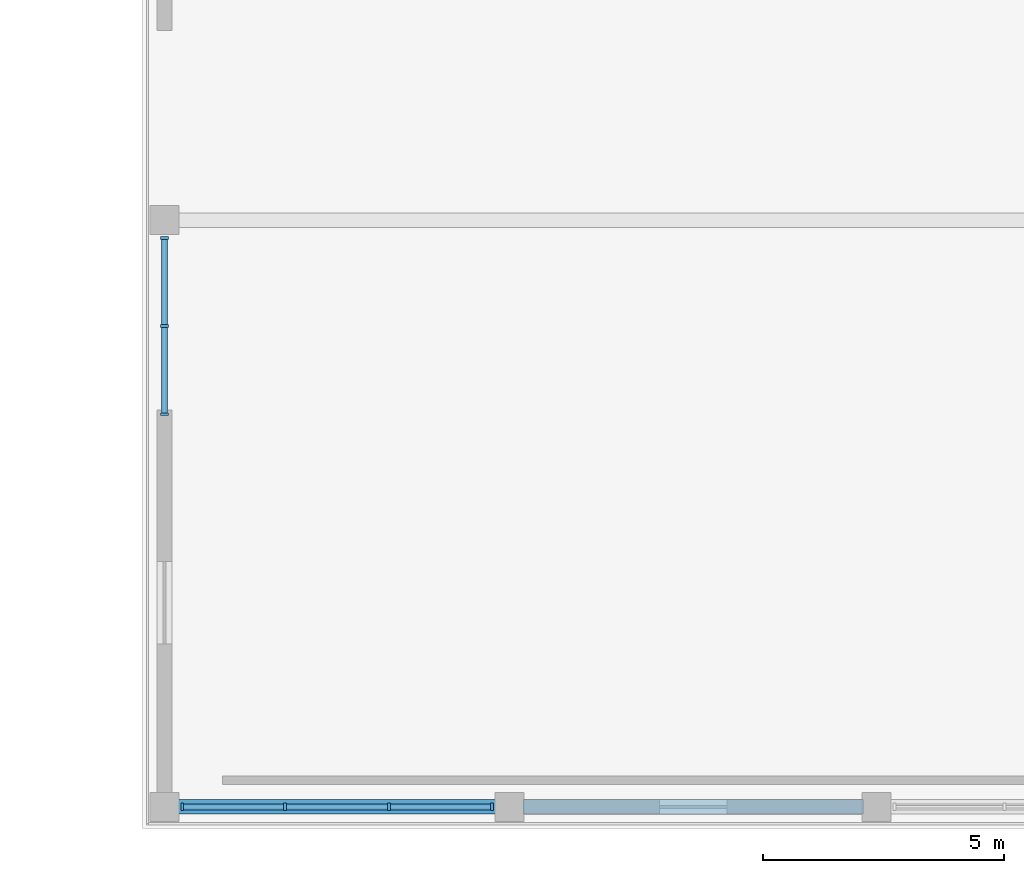
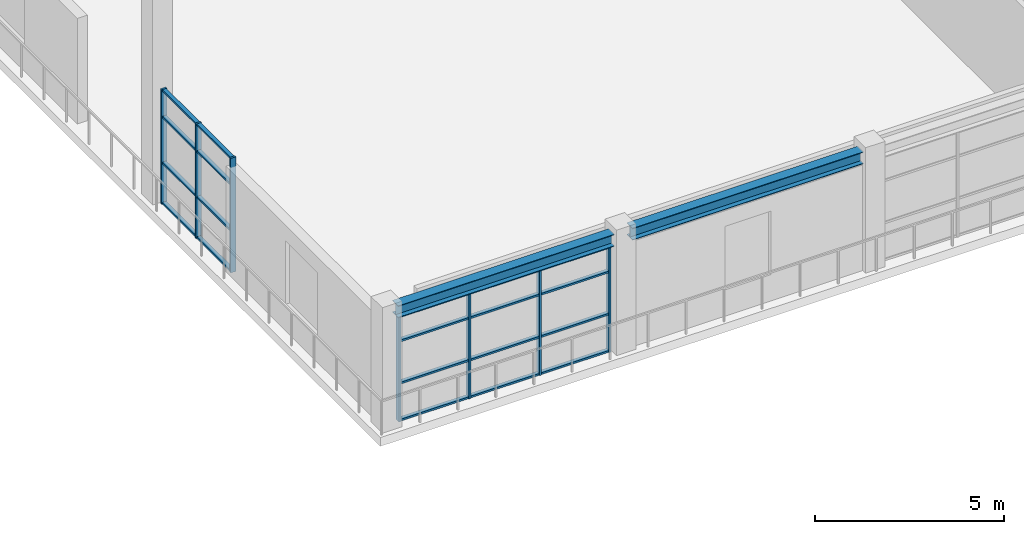
# One storey, part 18 of 87: 27 members, 2 beams, 2 elements without a shape of their own.
"""IFC4 building model written with IfcOpenShell, lengths in metres."""

from ifc_helpers import new_model, si_unit, direction, frame, origin, origin_2d, place, context, subcontext, project, spatial, rectangle, i_section, extrude, material, material_profile, profile_set, type_object, element, aggregate, save


model = new_model("IFC4")

# Units and contexts
model_context = context("Model", 3, precision=1e-05, world=origin(), true_north=direction((0.0, 1.0)))
body_context = subcontext(model_context, "Body", "Model", "MODEL_VIEW")
ifc_project = project(units=[si_unit("LENGTHUNIT", "METRE"), si_unit("AREAUNIT", "SQUARE_METRE"), si_unit("VOLUMEUNIT", "CUBIC_METRE"), si_unit("PLANEANGLEUNIT", "RADIAN"), si_unit("MASSUNIT", "GRAM", prefix="KILO")], contexts=[model_context])

# Site, building, storey
site_placement = place(None, origin())
site = spatial("IfcSite", under=ifc_project, at=site_placement, CompositionType="ELEMENT")
building_placement = place(site_placement, origin())
building = spatial("IfcBuilding", under=site, at=building_placement, Name="Saryqyr Civic Hall", CompositionType="ELEMENT")
storey_placement = place(building_placement, frame((0.0, 0.0, 5.10009765625)))
storey = spatial("IfcBuildingStorey", under=building, at=storey_placement, Name="L01", CompositionType="ELEMENT", Elevation=5.10009765625)

# Curtain wall, members
ifc_material_1 = material(Name="Anodised aluminium and triple low-E glass", Category="aluminium")
curtain_wall_type_1 = type_object("IfcCurtainWallType", Name="ENV-CW-STD-62", PredefinedType="NOTDEFINED", material=ifc_material_1)
curtain_wall_1_placement = place(storey_placement, origin())
curtain_wall_1 = element("IfcCurtainWall", 1, at=curtain_wall_1_placement, inside=storey, type_object=curtain_wall_type_1, Name="Curtain wall V7E-CW-L01-0-3", PredefinedType="NOTDEFINED")
ifc_material_2 = material(Name="Anodised aluminium", Category="aluminium")
ifc_material_profile_1 = material_profile(ifc_material_2, rectangle(XDim=0.06005859375, YDim=0.159912109375, at=origin_2d()), Name="ALU MULLION 60x160")
ifc_profile_set_1 = profile_set([ifc_material_profile_1], Name="Anodised aluminium")
member_type_1 = type_object("IfcMemberType", Name="ENV-CW-MUL-180", PredefinedType="MULLION", material=ifc_profile_set_1)
member_1_placement = place(storey_placement, frame((90.830078125, 0.449951171875, 0.0), z_axis=(0.0, 0.0, 1.0), x_axis=(-1.0, 0.0, 0.0)))
member_1 = element("IfcMember", 2, at=member_1_placement, type_object=member_type_1, Name="CW-62 mullion 1", PredefinedType="MULLION", context=body_context, shape_type="SweptSolid", body=[
    extrude(rectangle(XDim=0.06005859375, YDim=0.159912109375, at=origin_2d()), origin(), (0.0, 0.0, 1.0), 3.40478515625),
])
member_2_placement = place(storey_placement, frame((88.703369140625, 0.449951171875, 0.0), z_axis=(0.0, 0.0, 1.0), x_axis=(-1.0, 0.0, 0.0)))
member_2 = element("IfcMember", 3, at=member_2_placement, type_object=member_type_1, Name="CW-62 mullion 2", PredefinedType="MULLION", context=body_context, shape_type="SweptSolid", body=[
    extrude(rectangle(XDim=0.06005859375, YDim=0.159912109375, at=origin_2d()), origin(), (0.0, 0.0, 1.0), 3.40478515625),
])
member_3_placement = place(storey_placement, frame((86.546630859375, 0.449951171875, 0.0), z_axis=(0.0, 0.0, 1.0), x_axis=(-1.0, 0.0, 0.0)))
member_3 = element("IfcMember", 4, at=member_3_placement, type_object=member_type_1, Name="CW-62 mullion 3", PredefinedType="MULLION", context=body_context, shape_type="SweptSolid", body=[
    extrude(rectangle(XDim=0.06005859375, YDim=0.159912109375, at=origin_2d()), origin(), (0.0, 0.0, 1.0), 3.40478515625),
])
member_4_placement = place(storey_placement, frame((84.419921875, 0.449951171875, 0.0), z_axis=(0.0, 0.0, 1.0), x_axis=(-1.0, 0.0, 0.0)))
member_4 = element("IfcMember", 5, at=member_4_placement, type_object=member_type_1, Name="CW-62 mullion 4", PredefinedType="MULLION", context=body_context, shape_type="SweptSolid", body=[
    extrude(rectangle(XDim=0.06005859375, YDim=0.159912109375, at=origin_2d()), origin(), (0.0, 0.0, 1.0), 3.40478515625),
])

curtain_wall_type_2 = type_object("IfcCurtainWallType", Name="ENV-CW-STD-45", PredefinedType="NOTDEFINED", material=ifc_material_1)
curtain_wall_2_placement = place(storey_placement, origin())
curtain_wall_2 = element("IfcCurtainWall", 6, at=curtain_wall_2_placement, inside=storey, type_object=curtain_wall_type_2, Name="Curtain wall V7E-CW-L01-3-1", PredefinedType="NOTDEFINED")
member_5_placement = place(storey_placement, frame((84.050048828125, 8.580078125, 0.0), z_axis=(0.0, 0.0, 1.0), x_axis=(0.0, 1.0, 0.0)))
member_5 = element("IfcMember", 7, at=member_5_placement, type_object=member_type_1, Name="CW-45 mullion 1", PredefinedType="MULLION", context=body_context, shape_type="SweptSolid", body=[
    extrude(rectangle(XDim=0.06005859375, YDim=0.159912109375, at=origin_2d()), origin(), (0.0, 0.0, 1.0), 3.699951171875),
])
member_6_placement = place(storey_placement, frame((84.050048828125, 10.405029296875, 0.0), z_axis=(0.0, 0.0, 1.0), x_axis=(0.0, 1.0, 0.0)))
member_6 = element("IfcMember", 8, at=member_6_placement, type_object=member_type_1, Name="CW-45 mullion 2", PredefinedType="MULLION", context=body_context, shape_type="SweptSolid", body=[
    extrude(rectangle(XDim=0.06005859375, YDim=0.159912109375, at=origin_2d()), origin(), (0.0, 0.0, 1.0), 3.699951171875),
])
member_7_placement = place(storey_placement, frame((84.050048828125, 12.22998046875, 0.0), z_axis=(0.0, 0.0, 1.0), x_axis=(0.0, 1.0, 0.0)))
member_7 = element("IfcMember", 9, at=member_7_placement, type_object=member_type_1, Name="CW-45 mullion 3", PredefinedType="MULLION", context=body_context, shape_type="SweptSolid", body=[
    extrude(rectangle(XDim=0.06005859375, YDim=0.159912109375, at=origin_2d()), origin(), (0.0, 0.0, 1.0), 3.699951171875),
])

# Member
ifc_material_profile_2 = material_profile(ifc_material_2, rectangle(XDim=0.1201171875, YDim=0.06005859375, at=origin_2d()), Name="ALU TRANSOM 120x60")
ifc_profile_set_2 = profile_set([ifc_material_profile_2], Name="Anodised aluminium")
member_type_2 = type_object("IfcMemberType", Name="ENV-CW-TRN-150", PredefinedType="USERDEFINED", material=ifc_profile_set_2)
member_8_placement = place(storey_placement, frame((90.800048828125, 0.449951171875, 0.02978515625), z_axis=(-1.0, 0.0, 0.0), x_axis=(0.0, -1.0, 0.0)))
member_8 = element("IfcMember", 10, at=member_8_placement, type_object=member_type_2, Name="CW-62 transom 1.1", ObjectType="TRANSOM", PredefinedType="USERDEFINED", context=body_context, shape_type="SweptSolid", body=[
    extrude(rectangle(XDim=0.1201171875, YDim=0.06005859375, at=origin_2d()), origin(), (0.0, 0.0, 1.0), 2.066650390625),
])

member_9_placement = place(storey_placement, frame((90.800048828125, 0.449951171875, 1.225830078125), z_axis=(-1.0, 0.0, 0.0), x_axis=(0.0, -1.0, 0.0)))
member_9 = element("IfcMember", 11, at=member_9_placement, type_object=member_type_2, Name="CW-62 transom 1.2", ObjectType="TRANSOM", PredefinedType="USERDEFINED", context=body_context, shape_type="SweptSolid", body=[
    extrude(rectangle(XDim=0.1201171875, YDim=0.06005859375, at=origin_2d()), origin(), (0.0, 0.0, 1.0), 2.066650390625),
])

member_10_placement = place(storey_placement, frame((90.800048828125, 0.449951171875, 2.587890625), z_axis=(-1.0, 0.0, 0.0), x_axis=(0.0, -1.0, 0.0)))
member_10 = element("IfcMember", 12, at=member_10_placement, type_object=member_type_2, Name="CW-62 transom 1.3", ObjectType="TRANSOM", PredefinedType="USERDEFINED", context=body_context, shape_type="SweptSolid", body=[
    extrude(rectangle(XDim=0.1201171875, YDim=0.06005859375, at=origin_2d()), origin(), (0.0, 0.0, 1.0), 2.066650390625),
])

member_11_placement = place(storey_placement, frame((90.800048828125, 0.449951171875, 3.375), z_axis=(-1.0, 0.0, 0.0), x_axis=(0.0, -1.0, 0.0)))
member_11 = element("IfcMember", 13, at=member_11_placement, type_object=member_type_2, Name="CW-62 transom 1.4", ObjectType="TRANSOM", PredefinedType="USERDEFINED", context=body_context, shape_type="SweptSolid", body=[
    extrude(rectangle(XDim=0.1201171875, YDim=0.06005859375, at=origin_2d()), origin(), (0.0, 0.0, 1.0), 2.066650390625),
])

member_12_placement = place(storey_placement, frame((88.67333984375, 0.449951171875, 0.02978515625), z_axis=(-1.0, 0.0, 0.0), x_axis=(0.0, -1.0, 0.0)))
member_12 = element("IfcMember", 14, at=member_12_placement, type_object=member_type_2, Name="CW-62 transom 2.1", ObjectType="TRANSOM", PredefinedType="USERDEFINED", context=body_context, shape_type="SweptSolid", body=[
    extrude(rectangle(XDim=0.1201171875, YDim=0.06005859375, at=origin_2d()), origin(), (0.0, 0.0, 1.0), 2.0966796875),
])

member_13_placement = place(storey_placement, frame((88.67333984375, 0.449951171875, 1.225830078125), z_axis=(-1.0, 0.0, 0.0), x_axis=(0.0, -1.0, 0.0)))
member_13 = element("IfcMember", 15, at=member_13_placement, type_object=member_type_2, Name="CW-62 transom 2.2", ObjectType="TRANSOM", PredefinedType="USERDEFINED", context=body_context, shape_type="SweptSolid", body=[
    extrude(rectangle(XDim=0.1201171875, YDim=0.06005859375, at=origin_2d()), origin(), (0.0, 0.0, 1.0), 2.0966796875),
])

member_14_placement = place(storey_placement, frame((88.67333984375, 0.449951171875, 2.587890625), z_axis=(-1.0, 0.0, 0.0), x_axis=(0.0, -1.0, 0.0)))
member_14 = element("IfcMember", 16, at=member_14_placement, type_object=member_type_2, Name="CW-62 transom 2.3", ObjectType="TRANSOM", PredefinedType="USERDEFINED", context=body_context, shape_type="SweptSolid", body=[
    extrude(rectangle(XDim=0.1201171875, YDim=0.06005859375, at=origin_2d()), origin(), (0.0, 0.0, 1.0), 2.0966796875),
])

member_15_placement = place(storey_placement, frame((88.67333984375, 0.449951171875, 3.375), z_axis=(-1.0, 0.0, 0.0), x_axis=(0.0, -1.0, 0.0)))
member_15 = element("IfcMember", 17, at=member_15_placement, type_object=member_type_2, Name="CW-62 transom 2.4", ObjectType="TRANSOM", PredefinedType="USERDEFINED", context=body_context, shape_type="SweptSolid", body=[
    extrude(rectangle(XDim=0.1201171875, YDim=0.06005859375, at=origin_2d()), origin(), (0.0, 0.0, 1.0), 2.0966796875),
])

member_16_placement = place(storey_placement, frame((86.5166015625, 0.449951171875, 0.02978515625), z_axis=(-1.0, 0.0, 0.0), x_axis=(0.0, -1.0, 0.0)))
member_16 = element("IfcMember", 18, at=member_16_placement, type_object=member_type_2, Name="CW-62 transom 3.1", ObjectType="TRANSOM", PredefinedType="USERDEFINED", context=body_context, shape_type="SweptSolid", body=[
    extrude(rectangle(XDim=0.1201171875, YDim=0.06005859375, at=origin_2d()), origin(), (0.0, 0.0, 1.0), 2.066650390625),
])

member_17_placement = place(storey_placement, frame((86.5166015625, 0.449951171875, 1.225830078125), z_axis=(-1.0, 0.0, 0.0), x_axis=(0.0, -1.0, 0.0)))
member_17 = element("IfcMember", 19, at=member_17_placement, type_object=member_type_2, Name="CW-62 transom 3.2", ObjectType="TRANSOM", PredefinedType="USERDEFINED", context=body_context, shape_type="SweptSolid", body=[
    extrude(rectangle(XDim=0.1201171875, YDim=0.06005859375, at=origin_2d()), origin(), (0.0, 0.0, 1.0), 2.066650390625),
])

member_18_placement = place(storey_placement, frame((86.5166015625, 0.449951171875, 2.587890625), z_axis=(-1.0, 0.0, 0.0), x_axis=(0.0, -1.0, 0.0)))
member_18 = element("IfcMember", 20, at=member_18_placement, type_object=member_type_2, Name="CW-62 transom 3.3", ObjectType="TRANSOM", PredefinedType="USERDEFINED", context=body_context, shape_type="SweptSolid", body=[
    extrude(rectangle(XDim=0.1201171875, YDim=0.06005859375, at=origin_2d()), origin(), (0.0, 0.0, 1.0), 2.066650390625),
])

member_19_placement = place(storey_placement, frame((86.5166015625, 0.449951171875, 3.375), z_axis=(-1.0, 0.0, 0.0), x_axis=(0.0, -1.0, 0.0)))
member_19 = element("IfcMember", 21, at=member_19_placement, type_object=member_type_2, Name="CW-62 transom 3.4", ObjectType="TRANSOM", PredefinedType="USERDEFINED", context=body_context, shape_type="SweptSolid", body=[
    extrude(rectangle(XDim=0.1201171875, YDim=0.06005859375, at=origin_2d()), origin(), (0.0, 0.0, 1.0), 2.066650390625),
])

aggregate(curtain_wall_1, [member_1, member_2, member_3, member_4, member_8, member_9, member_10, member_11, member_12, member_13, member_14, member_15, member_16, member_17, member_18, member_19])

member_20_placement = place(storey_placement, frame((84.050048828125, 8.610107421875, 0.02978515625), z_axis=(0.0, 1.0, 0.0), x_axis=(-1.0, 0.0, 0.0)))
member_20 = element("IfcMember", 22, at=member_20_placement, type_object=member_type_2, Name="CW-45 transom 1.1", ObjectType="TRANSOM", PredefinedType="USERDEFINED", context=body_context, shape_type="SweptSolid", body=[
    extrude(rectangle(XDim=0.1201171875, YDim=0.06005859375, at=origin_2d()), origin(), (0.0, 0.0, 1.0), 1.764892578125),
])

member_21_placement = place(storey_placement, frame((84.050048828125, 8.610107421875, 1.331787109375), z_axis=(0.0, 1.0, 0.0), x_axis=(-1.0, 0.0, 0.0)))
member_21 = element("IfcMember", 23, at=member_21_placement, type_object=member_type_2, Name="CW-45 transom 1.2", ObjectType="TRANSOM", PredefinedType="USERDEFINED", context=body_context, shape_type="SweptSolid", body=[
    extrude(rectangle(XDim=0.1201171875, YDim=0.06005859375, at=origin_2d()), origin(), (0.0, 0.0, 1.0), 1.764892578125),
])

member_22_placement = place(storey_placement, frame((84.050048828125, 8.610107421875, 2.81201171875), z_axis=(0.0, 1.0, 0.0), x_axis=(-1.0, 0.0, 0.0)))
member_22 = element("IfcMember", 24, at=member_22_placement, type_object=member_type_2, Name="CW-45 transom 1.3", ObjectType="TRANSOM", PredefinedType="USERDEFINED", context=body_context, shape_type="SweptSolid", body=[
    extrude(rectangle(XDim=0.1201171875, YDim=0.06005859375, at=origin_2d()), origin(), (0.0, 0.0, 1.0), 1.764892578125),
])

member_23_placement = place(storey_placement, frame((84.050048828125, 8.610107421875, 3.669921875), z_axis=(0.0, 1.0, 0.0), x_axis=(-1.0, 0.0, 0.0)))
member_23 = element("IfcMember", 25, at=member_23_placement, type_object=member_type_2, Name="CW-45 transom 1.4", ObjectType="TRANSOM", PredefinedType="USERDEFINED", context=body_context, shape_type="SweptSolid", body=[
    extrude(rectangle(XDim=0.1201171875, YDim=0.06005859375, at=origin_2d()), origin(), (0.0, 0.0, 1.0), 1.764892578125),
])

member_24_placement = place(storey_placement, frame((84.050048828125, 10.43505859375, 0.02978515625), z_axis=(0.0, 1.0, 0.0), x_axis=(-1.0, 0.0, 0.0)))
member_24 = element("IfcMember", 26, at=member_24_placement, type_object=member_type_2, Name="CW-45 transom 2.1", ObjectType="TRANSOM", PredefinedType="USERDEFINED", context=body_context, shape_type="SweptSolid", body=[
    extrude(rectangle(XDim=0.1201171875, YDim=0.06005859375, at=origin_2d()), origin(), (0.0, 0.0, 1.0), 1.764892578125),
])

member_25_placement = place(storey_placement, frame((84.050048828125, 10.43505859375, 1.331787109375), z_axis=(0.0, 1.0, 0.0), x_axis=(-1.0, 0.0, 0.0)))
member_25 = element("IfcMember", 27, at=member_25_placement, type_object=member_type_2, Name="CW-45 transom 2.2", ObjectType="TRANSOM", PredefinedType="USERDEFINED", context=body_context, shape_type="SweptSolid", body=[
    extrude(rectangle(XDim=0.1201171875, YDim=0.06005859375, at=origin_2d()), origin(), (0.0, 0.0, 1.0), 1.764892578125),
])

member_26_placement = place(storey_placement, frame((84.050048828125, 10.43505859375, 2.81201171875), z_axis=(0.0, 1.0, 0.0), x_axis=(-1.0, 0.0, 0.0)))
member_26 = element("IfcMember", 28, at=member_26_placement, type_object=member_type_2, Name="CW-45 transom 2.3", ObjectType="TRANSOM", PredefinedType="USERDEFINED", context=body_context, shape_type="SweptSolid", body=[
    extrude(rectangle(XDim=0.1201171875, YDim=0.06005859375, at=origin_2d()), origin(), (0.0, 0.0, 1.0), 1.764892578125),
])

member_27_placement = place(storey_placement, frame((84.050048828125, 10.43505859375, 3.669921875), z_axis=(0.0, 1.0, 0.0), x_axis=(-1.0, 0.0, 0.0)))
member_27 = element("IfcMember", 29, at=member_27_placement, type_object=member_type_2, Name="CW-45 transom 2.4", ObjectType="TRANSOM", PredefinedType="USERDEFINED", context=body_context, shape_type="SweptSolid", body=[
    extrude(rectangle(XDim=0.1201171875, YDim=0.06005859375, at=origin_2d()), origin(), (0.0, 0.0, 1.0), 1.764892578125),
])

aggregate(curtain_wall_2, [member_5, member_6, member_7, member_20, member_21, member_22, member_23, member_24, member_25, member_26, member_27])

# Beams
ifc_material_3 = material(Name="Steel S355", Category="steel")
ifc_material_profile_3 = material_profile(ifc_material_3, i_section(OverallWidth=0.300048828125, OverallDepth=0.389892578125, WebThickness=0.010986328125, FlangeThickness=0.01904296875, at=origin_2d()), Name="HEA 400")
ifc_profile_set_3 = profile_set([ifc_material_profile_3], Name="Steel S355")
beam_type = type_object("IfcBeamType", Name="STR-BM-HEA400", PredefinedType="BEAM", material=ifc_profile_set_3)
beam_1_placement = place(storey_placement, frame((84.324951171875, 0.449951171875, 3.625), z_axis=(1.0, 0.0, 0.0), x_axis=(0.0, 1.0, 0.0)))
element("IfcBeam", 30, at=beam_1_placement, inside=storey, type_object=beam_type, Name="Beam V7E-EBM-S1", PredefinedType="BEAM", context=body_context, shape_type="SweptSolid", body=[
    extrude(i_section(OverallWidth=0.300048828125, OverallDepth=0.389892578125, WebThickness=0.010986328125, FlangeThickness=0.01904296875, at=origin_2d()), origin(), (0.0, 0.0, 1.0), 6.60009765625),
])
beam_2_placement = place(storey_placement, frame((91.47509765625, 0.449951171875, 3.625), z_axis=(1.0, 0.0, 0.0), x_axis=(0.0, 1.0, 0.0)))
element("IfcBeam", 31, at=beam_2_placement, inside=storey, type_object=beam_type, Name="Beam V7E-EBM-S2", PredefinedType="BEAM", context=body_context, shape_type="SweptSolid", body=[
    extrude(i_section(OverallWidth=0.300048828125, OverallDepth=0.389892578125, WebThickness=0.010986328125, FlangeThickness=0.01904296875, at=origin_2d()), origin(), (0.0, 0.0, 1.0), 7.0498046875),
])

save(model, "model.ifc")
